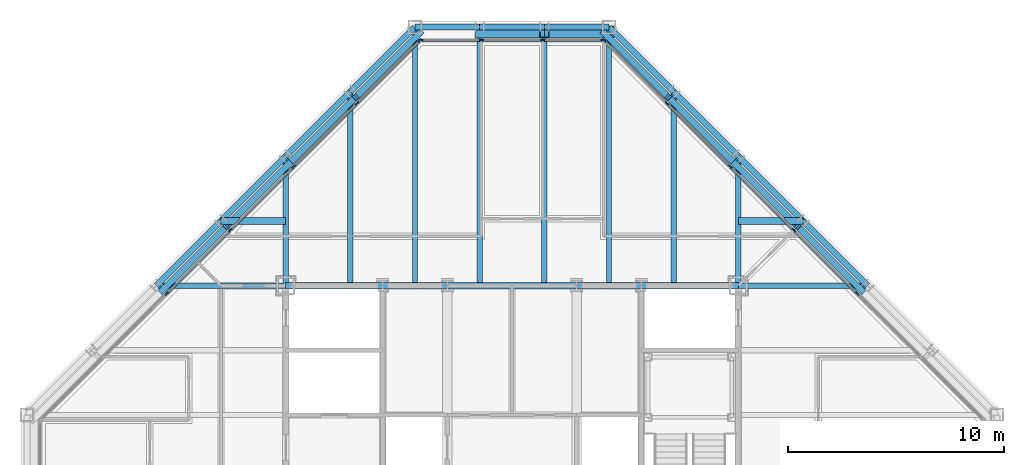
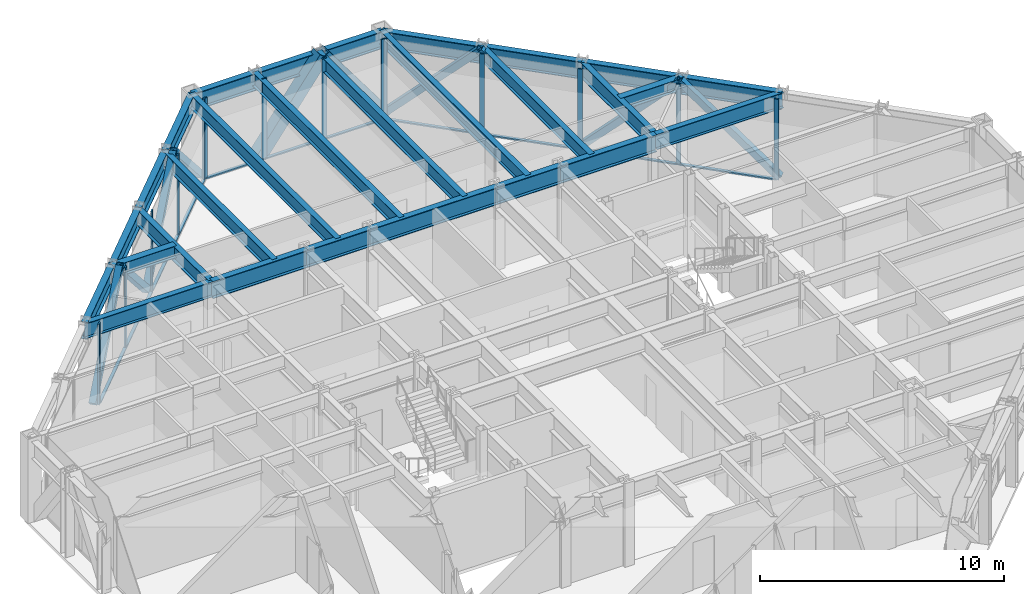
# One storey, part 8 of 15: 35 members, 28 beams, 3 elements without a shape of their own.
"""IFC4 building model written with IfcOpenShell, lengths in metres."""

from ifc_helpers import new_model, si_unit, direction, frame, origin, origin_2d, place, context, subcontext, project, spatial, rectangle, hollow_rectangle, i_section, extrude, material, layer, layer_set, material_profile, profile_set, type_object, element, aggregate, save


model = new_model("IFC4")

# Units and contexts
model_context = context("Model", 3, precision=1e-05, world=origin(), true_north=direction((0.0, 1.0)))
body_context = subcontext(model_context, "Body", "Model", "MODEL_VIEW")
ifc_project = project(units=[si_unit("LENGTHUNIT", "METRE"), si_unit("AREAUNIT", "SQUARE_METRE"), si_unit("VOLUMEUNIT", "CUBIC_METRE"), si_unit("PLANEANGLEUNIT", "RADIAN"), si_unit("MASSUNIT", "GRAM", prefix="KILO")], contexts=[model_context])

# Site, building, storey
site_placement = place(None, origin())
site = spatial("IfcSite", under=ifc_project, at=site_placement, CompositionType="ELEMENT")
building_placement = place(site_placement, origin())
building = spatial("IfcBuilding", under=site, at=building_placement, Name="Chuquiago Exchange Tower", CompositionType="ELEMENT")
storey_placement = place(building_placement, frame((0.0, 0.0, 274.800048828125)))
storey = spatial("IfcBuildingStorey", under=building, at=storey_placement, Name="L61", CompositionType="ELEMENT", Elevation=274.800048828125)

# Beams
ifc_material_1 = material(Name="Steel ASTM A992", Category="steel")
ifc_material_profile_1 = material_profile(ifc_material_1, i_section(OverallWidth=0.25390625, OverallDepth=0.683349609375, WebThickness=0.012451171875, FlangeThickness=0.018798828125, at=origin_2d()), Name="W27X94")
ifc_profile_set_1 = profile_set([ifc_material_profile_1], Name="Steel ASTM A992")
beam_type_1 = type_object("IfcBeamType", Name="B1 W27X94", PredefinedType="BEAM", material=ifc_profile_set_1)
beam_1_placement = place(storey_placement, frame((15.0, 33.0, 3.6982421875), z_axis=(0.0, 1.0, 0.0), x_axis=(-1.0, 0.0, 0.0)))
element("IfcBeam", 1, at=beam_1_placement, inside=storey, type_object=beam_type_1, Name="FB-L62-infill-15_33-15_42-0", PredefinedType="BEAM", context=body_context, shape_type="SweptSolid", body=[
    extrude(i_section(OverallWidth=0.25390625, OverallDepth=0.683349609375, WebThickness=0.012451171875, FlangeThickness=0.018798828125, at=origin_2d()), origin(), (0.0, 0.0, 1.0), 9.0),
])
for number, where, z_axis, x_axis, name in (
    (2, (18.0, 33.0, 3.6982421875), (0.0, 1.0, 0.0), (-1.0, 0.0, 0.0), "FB-L62-infill-18_33-18_45-0"),
    (3, (21.0, 33.0, 3.6982421875), (0.0, 1.0, 0.0), (-1.0, 0.0, 0.0), "FB-L62-infill-21_33-21_45-0"),
    (4, (24.0, 33.0, 3.6982421875), (0.0, 1.0, 0.0), (-1.0, 0.0, 0.0), "FB-L62-infill-24_33-24_45-0"),
    (5, (27.0, 33.0, 3.6982421875), (0.0, 1.0, 0.0), (-1.0, 0.0, 0.0), "FB-L62-infill-27_33-27_45-0"),
):
    element("IfcBeam", number, at=place(storey_placement, frame(where, z_axis=z_axis, x_axis=x_axis)), inside=storey, type_object=beam_type_1, Name=name, PredefinedType="BEAM", context=body_context, shape_type="SweptSolid", body=[
        extrude(i_section(OverallWidth=0.25390625, OverallDepth=0.683349609375, WebThickness=0.012451171875, FlangeThickness=0.018798828125, at=origin_2d()), origin(), (0.0, 0.0, 1.0), 12.0),
    ])
beam_2_placement = place(storey_placement, frame((30.0, 33.0, 3.6982421875), z_axis=(0.0, 1.0, 0.0), x_axis=(-1.0, 0.0, 0.0)))
element("IfcBeam", 6, at=beam_2_placement, inside=storey, type_object=beam_type_1, Name="FB-L62-infill-30_33-30_42-0", PredefinedType="BEAM", context=body_context, shape_type="SweptSolid", body=[
    extrude(i_section(OverallWidth=0.25390625, OverallDepth=0.683349609375, WebThickness=0.012451171875, FlangeThickness=0.018798828125, at=origin_2d()), origin(), (0.0, 0.0, 1.0), 9.0),
])
ifc_material_2 = material(Name="Steel ASTM A992", Category="steel")
ifc_material_profile_2 = material_profile(ifc_material_2, i_section(OverallWidth=0.3251953125, OverallDepth=0.612060546875, WebThickness=0.0126953125, FlangeThickness=0.01904296875, at=origin_2d()), Name="W24X104")
ifc_profile_set_2 = profile_set([ifc_material_profile_2], Name="Steel ASTM A992")
beam_type_2 = type_object("IfcBeamType", Name="B2 W24X104", PredefinedType="BEAM", material=ifc_profile_set_2)
for number, where, z_axis, x_axis, name in (
    (7, (12.0, 36.0, 3.73388671875), (-1.0, 0.0, 0.0), (0.0, -1.0, 0.0), "FB-L62-corner-12_36-9_36-0"),
    (8, (33.0, 36.0, 3.73388671875), (1.0, 0.0, 0.0), (0.0, 1.0, 0.0), "FB-L62-corner-33_36-36_36-0"),
):
    element("IfcBeam", number, at=place(storey_placement, frame(where, z_axis=z_axis, x_axis=x_axis)), inside=storey, type_object=beam_type_2, Name=name, PredefinedType="BEAM", context=body_context, shape_type="SweptSolid", body=[
        extrude(i_section(OverallWidth=0.3251953125, OverallDepth=0.612060546875, WebThickness=0.0126953125, FlangeThickness=0.01904296875, at=origin_2d()), origin(), (0.0, 0.0, 1.0), 3.0),
    ])
ifc_material_3 = material(Name="Steel ASTM A992", Category="steel")
ifc_material_profile_3 = material_profile(ifc_material_3, i_section(OverallWidth=0.2919921875, OverallDepth=0.8583984375, WebThickness=0.01708984375, FlangeThickness=0.031005859375, at=origin_2d()), Name="W33X169")
ifc_profile_set_3 = profile_set([ifc_material_profile_3], Name="Steel ASTM A992")
beam_type_3 = type_object("IfcBeamType", Name="B3 W33X169", PredefinedType="BEAM", material=ifc_profile_set_3)
beam_3_placement = place(storey_placement, frame((12.0, 33.0, 3.610595703125), z_axis=(1.0, 0.0, 0.0), x_axis=(0.0, 1.0, 0.0)))
element("IfcBeam", 9, at=beam_3_placement, inside=storey, type_object=beam_type_3, Name="CB-L62-12_33-16.5_33", PredefinedType="BEAM", context=body_context, shape_type="SweptSolid", body=[
    extrude(i_section(OverallWidth=0.2919921875, OverallDepth=0.8583984375, WebThickness=0.01708984375, FlangeThickness=0.031005859375, at=origin_2d()), origin(), (0.0, 0.0, 1.0), 4.5),
])
beam_4_placement = place(storey_placement, frame((16.5, 33.0, 3.610595703125), z_axis=(1.0, 0.0, 0.0), x_axis=(0.0, 1.0, 0.0)))
element("IfcBeam", 10, at=beam_4_placement, inside=storey, type_object=beam_type_3, Name="CB-L62-16.5_33-19.5_33", PredefinedType="BEAM", context=body_context, shape_type="SweptSolid", body=[
    extrude(i_section(OverallWidth=0.2919921875, OverallDepth=0.8583984375, WebThickness=0.01708984375, FlangeThickness=0.031005859375, at=origin_2d()), origin(), (0.0, 0.0, 1.0), 3.0),
])
beam_5_placement = place(storey_placement, frame((19.5, 33.0, 3.610595703125), z_axis=(1.0, 0.0, 0.0), x_axis=(0.0, 1.0, 0.0)))
element("IfcBeam", 11, at=beam_5_placement, inside=storey, type_object=beam_type_3, Name="CB-L62-19.5_33-25.5_33", PredefinedType="BEAM", context=body_context, shape_type="SweptSolid", body=[
    extrude(i_section(OverallWidth=0.2919921875, OverallDepth=0.8583984375, WebThickness=0.01708984375, FlangeThickness=0.031005859375, at=origin_2d()), origin(), (0.0, 0.0, 1.0), 6.0),
])
beam_6_placement = place(storey_placement, frame((25.5, 33.0, 3.610595703125), z_axis=(1.0, 0.0, 0.0), x_axis=(0.0, 1.0, 0.0)))
element("IfcBeam", 12, at=beam_6_placement, inside=storey, type_object=beam_type_3, Name="CB-L62-25.5_33-28.5_33", PredefinedType="BEAM", context=body_context, shape_type="SweptSolid", body=[
    extrude(i_section(OverallWidth=0.2919921875, OverallDepth=0.8583984375, WebThickness=0.01708984375, FlangeThickness=0.031005859375, at=origin_2d()), origin(), (0.0, 0.0, 1.0), 3.0),
])
beam_7_placement = place(storey_placement, frame((28.5, 33.0, 3.610595703125), z_axis=(1.0, 0.0, 0.0), x_axis=(0.0, 1.0, 0.0)))
element("IfcBeam", 13, at=beam_7_placement, inside=storey, type_object=beam_type_3, Name="CB-L62-28.5_33-33_33", PredefinedType="BEAM", context=body_context, shape_type="SweptSolid", body=[
    extrude(i_section(OverallWidth=0.2919921875, OverallDepth=0.8583984375, WebThickness=0.01708984375, FlangeThickness=0.031005859375, at=origin_2d()), origin(), (0.0, 0.0, 1.0), 4.5),
])

# Curtain wall, members
ifc_material_4 = material(Name="Aluminium curtain wall system", Category="aluminium")
ifc_layer_1 = layer(ifc_material_4, 0.22509765625)
ifc_layer_set_1 = layer_set([ifc_layer_1], Name="CW2 office curtain wall")
curtain_wall_type_1 = type_object("IfcCurtainWallType", Name="CW2 office curtain wall", PredefinedType="NOTDEFINED", material=ifc_layer_set_1)
curtain_wall_1_placement = place(storey_placement, origin())
curtain_wall_1 = element("IfcCurtainWall", 14, at=curtain_wall_1_placement, inside=storey, type_object=curtain_wall_type_1, Name="CW2 curtain wall L61", PredefinedType="NOTDEFINED")
ifc_material_5 = material(Name="Aluminium mullion, pale anodised", Category="aluminium")
ifc_material_profile_4 = material_profile(ifc_material_5, rectangle(XDim=0.06494140625, YDim=0.22509765625, at=origin_2d()), Name="AL 65x225")
ifc_profile_set_4 = profile_set([ifc_material_profile_4], Name="Aluminium mullion, pale anodised")
member_type_1 = type_object("IfcMemberType", Name="CW2-M mullion 65x225", PredefinedType="MULLION", material=ifc_profile_set_4)
member_1_placement = place(storey_placement, frame((26.718994140625, 44.39990234375, 0.0), z_axis=(0.0, 0.0, 1.0), x_axis=(0.0, -1.0, 0.0)))
member_1 = element("IfcMember", 15, at=member_1_placement, type_object=member_type_1, Name="CW2 mullion 1", PredefinedType="MULLION", context=body_context, shape_type="SweptSolid", body=[
    extrude(rectangle(XDim=0.06494140625, YDim=0.22509765625, at=origin_2d()), origin(), (0.0, 0.0, 1.0), 4.0400390625),
])
member_2_placement = place(storey_placement, frame((23.917236328125, 44.39990234375, 0.0), z_axis=(0.0, 0.0, 1.0), x_axis=(0.0, -1.0, 0.0)))
member_2 = element("IfcMember", 16, at=member_2_placement, type_object=member_type_1, Name="CW2 mullion 2", PredefinedType="MULLION", context=body_context, shape_type="SweptSolid", body=[
    extrude(rectangle(XDim=0.06494140625, YDim=0.22509765625, at=origin_2d()), origin(), (0.0, 0.0, 1.0), 4.0400390625),
])
member_3_placement = place(storey_placement, frame((21.082763671875, 44.39990234375, 0.0), z_axis=(0.0, 0.0, 1.0), x_axis=(0.0, -1.0, 0.0)))
member_3 = element("IfcMember", 17, at=member_3_placement, type_object=member_type_1, Name="CW2 mullion 3", PredefinedType="MULLION", context=body_context, shape_type="SweptSolid", body=[
    extrude(rectangle(XDim=0.06494140625, YDim=0.22509765625, at=origin_2d()), origin(), (0.0, 0.0, 1.0), 4.0400390625),
])
member_4_placement = place(storey_placement, frame((18.281005859375, 44.39990234375, 0.0), z_axis=(0.0, 0.0, 1.0), x_axis=(0.0, -1.0, 0.0)))
member_4 = element("IfcMember", 18, at=member_4_placement, type_object=member_type_1, Name="CW2 mullion 4", PredefinedType="MULLION", context=body_context, shape_type="SweptSolid", body=[
    extrude(rectangle(XDim=0.06494140625, YDim=0.22509765625, at=origin_2d()), origin(), (0.0, 0.0, 1.0), 4.0400390625),
])
ifc_material_6 = material(Name="Aluminium transom, pale anodised", Category="aluminium")
ifc_material_profile_5 = material_profile(ifc_material_6, rectangle(XDim=0.139892578125, YDim=0.06494140625, at=origin_2d()), Name="AL 140x65")
ifc_profile_set_5 = profile_set([ifc_material_profile_5], Name="Aluminium transom, pale anodised")
member_type_2 = type_object("IfcMemberType", Name="CW2-T transom 65x140", PredefinedType="MULLION", material=ifc_profile_set_5)
member_5_placement = place(storey_placement, frame((26.6865234375, 44.39990234375, 0.032470703125), z_axis=(-1.0, 0.0, 0.0), x_axis=(0.0, -1.0, 0.0)))
member_5 = element("IfcMember", 19, at=member_5_placement, type_object=member_type_2, Name="CW2 transom 1.1", PredefinedType="MULLION", context=body_context, shape_type="SweptSolid", body=[
    extrude(rectangle(XDim=0.139892578125, YDim=0.06494140625, at=origin_2d()), origin(), (0.0, 0.0, 1.0), 2.73681640625),
])
member_6_placement = place(storey_placement, frame((23.884765625, 44.39990234375, 0.032470703125), z_axis=(-1.0, 0.0, 0.0), x_axis=(0.0, -1.0, 0.0)))
member_6 = element("IfcMember", 20, at=member_6_placement, type_object=member_type_2, Name="CW2 transom 2.1", PredefinedType="MULLION", context=body_context, shape_type="SweptSolid", body=[
    extrude(rectangle(XDim=0.139892578125, YDim=0.06494140625, at=origin_2d()), origin(), (0.0, 0.0, 1.0), 2.76953125),
])
member_7_placement = place(storey_placement, frame((21.05029296875, 44.39990234375, 0.032470703125), z_axis=(-1.0, 0.0, 0.0), x_axis=(0.0, -1.0, 0.0)))
member_7 = element("IfcMember", 21, at=member_7_placement, type_object=member_type_2, Name="CW2 transom 3.1", PredefinedType="MULLION", context=body_context, shape_type="SweptSolid", body=[
    extrude(rectangle(XDim=0.139892578125, YDim=0.06494140625, at=origin_2d()), origin(), (0.0, 0.0, 1.0), 2.73681640625),
])
aggregate(curtain_wall_1, [member_1, member_2, member_3, member_4, member_5, member_6, member_7])

ifc_material_7 = material(Name="Aluminium curtain wall system", Category="aluminium")
ifc_layer_2 = layer(ifc_material_7, 0.199951171875)
ifc_layer_set_2 = layer_set([ifc_layer_2], Name="CW3 facet curtain wall")
curtain_wall_type_2 = type_object("IfcCurtainWallType", Name="CW3 facet curtain wall", PredefinedType="NOTDEFINED", material=ifc_layer_set_2)
curtain_wall_2_placement = place(storey_placement, origin())
curtain_wall_2 = element("IfcCurtainWall", 22, at=curtain_wall_2_placement, inside=storey, type_object=curtain_wall_type_2, Name="CW3 curtain wall L61", PredefinedType="NOTDEFINED")
ifc_material_8 = material(Name="Aluminium mullion, pale anodised", Category="aluminium")
ifc_material_profile_6 = material_profile(ifc_material_8, rectangle(XDim=0.06494140625, YDim=0.199951171875, at=origin_2d()), Name="AL 65x200")
ifc_profile_set_6 = profile_set([ifc_material_profile_6], Name="Aluminium mullion, pale anodised")
member_type_3 = type_object("IfcMemberType", Name="CW3-M mullion 65x200", PredefinedType="MULLION", material=ifc_profile_set_6)
member_8_placement = place(storey_placement, frame((38.51708984375, 32.63427734375, 0.0), z_axis=(0.0, 0.0, 1.0), x_axis=(-0.707106781187, -0.707106781187, 0.0)))
member_8 = element("IfcMember", 23, at=member_8_placement, type_object=member_type_3, Name="CW3 mullion 3", PredefinedType="MULLION", context=body_context, shape_type="SweptSolid", body=[
    extrude(rectangle(XDim=0.06494140625, YDim=0.199951171875, at=origin_2d()), origin(), (0.0, 0.0, 1.0), 4.0400390625),
])
member_9_placement = place(storey_placement, frame((35.57568359375, 35.57568359375, 0.0), z_axis=(0.0, 0.0, 1.0), x_axis=(-0.707106781187, -0.707106781187, 0.0)))
member_9 = element("IfcMember", 24, at=member_9_placement, type_object=member_type_3, Name="CW3 mullion 4", PredefinedType="MULLION", context=body_context, shape_type="SweptSolid", body=[
    extrude(rectangle(XDim=0.06494140625, YDim=0.199951171875, at=origin_2d()), origin(), (0.0, 0.0, 1.0), 4.0400390625),
])
member_10_placement = place(storey_placement, frame((32.63427734375, 38.51708984375, 0.0), z_axis=(0.0, 0.0, 1.0), x_axis=(-0.707106781187, -0.707106781187, 0.0)))
member_10 = element("IfcMember", 25, at=member_10_placement, type_object=member_type_3, Name="CW3 mullion 5", PredefinedType="MULLION", context=body_context, shape_type="SweptSolid", body=[
    extrude(rectangle(XDim=0.06494140625, YDim=0.199951171875, at=origin_2d()), origin(), (0.0, 0.0, 1.0), 4.0400390625),
])
member_11_placement = place(storey_placement, frame((29.69287109375, 41.45849609375, 0.0), z_axis=(0.0, 0.0, 1.0), x_axis=(-0.707106781187, -0.707106781187, 0.0)))
member_11 = element("IfcMember", 26, at=member_11_placement, type_object=member_type_3, Name="CW3 mullion 6", PredefinedType="MULLION", context=body_context, shape_type="SweptSolid", body=[
    extrude(rectangle(XDim=0.06494140625, YDim=0.199951171875, at=origin_2d()), origin(), (0.0, 0.0, 1.0), 4.0400390625),
])
member_12_placement = place(storey_placement, frame((26.7744140625, 44.376953125, 0.0), z_axis=(0.0, 0.0, 1.0), x_axis=(-0.707106781187, -0.707106781187, 0.0)))
member_12 = element("IfcMember", 27, at=member_12_placement, type_object=member_type_3, Name="CW3 mullion 7", PredefinedType="MULLION", context=body_context, shape_type="SweptSolid", body=[
    extrude(rectangle(XDim=0.06494140625, YDim=0.199951171875, at=origin_2d()), origin(), (0.0, 0.0, 1.0), 4.0400390625),
])

curtain_wall_3_placement = place(storey_placement, origin())
curtain_wall_3 = element("IfcCurtainWall", 28, at=curtain_wall_3_placement, inside=storey, type_object=curtain_wall_type_2, Name="CW3 curtain wall L61", PredefinedType="NOTDEFINED")
member_13_placement = place(storey_placement, frame((18.2255859375, 44.376953125, 0.0), z_axis=(0.0, 0.0, 1.0), x_axis=(0.707106781187, -0.707106781187, 0.0)))
member_13 = element("IfcMember", 29, at=member_13_placement, type_object=member_type_3, Name="CW3 mullion 1", PredefinedType="MULLION", context=body_context, shape_type="SweptSolid", body=[
    extrude(rectangle(XDim=0.06494140625, YDim=0.199951171875, at=origin_2d()), origin(), (0.0, 0.0, 1.0), 4.0400390625),
])
member_14_placement = place(storey_placement, frame((15.30712890625, 41.45849609375, 0.0), z_axis=(0.0, 0.0, 1.0), x_axis=(0.707106781187, -0.707106781187, 0.0)))
member_14 = element("IfcMember", 30, at=member_14_placement, type_object=member_type_3, Name="CW3 mullion 2", PredefinedType="MULLION", context=body_context, shape_type="SweptSolid", body=[
    extrude(rectangle(XDim=0.06494140625, YDim=0.199951171875, at=origin_2d()), origin(), (0.0, 0.0, 1.0), 4.0400390625),
])
member_15_placement = place(storey_placement, frame((12.36572265625, 38.51708984375, 0.0), z_axis=(0.0, 0.0, 1.0), x_axis=(0.707106781187, -0.707106781187, 0.0)))
member_15 = element("IfcMember", 31, at=member_15_placement, type_object=member_type_3, Name="CW3 mullion 3", PredefinedType="MULLION", context=body_context, shape_type="SweptSolid", body=[
    extrude(rectangle(XDim=0.06494140625, YDim=0.199951171875, at=origin_2d()), origin(), (0.0, 0.0, 1.0), 4.0400390625),
])
member_16_placement = place(storey_placement, frame((9.42431640625, 35.57568359375, 0.0), z_axis=(0.0, 0.0, 1.0), x_axis=(0.707106781187, -0.707106781187, 0.0)))
member_16 = element("IfcMember", 32, at=member_16_placement, type_object=member_type_3, Name="CW3 mullion 4", PredefinedType="MULLION", context=body_context, shape_type="SweptSolid", body=[
    extrude(rectangle(XDim=0.06494140625, YDim=0.199951171875, at=origin_2d()), origin(), (0.0, 0.0, 1.0), 4.0400390625),
])
member_17_placement = place(storey_placement, frame((6.48291015625, 32.63427734375, 0.0), z_axis=(0.0, 0.0, 1.0), x_axis=(0.707106781187, -0.707106781187, 0.0)))
member_17 = element("IfcMember", 33, at=member_17_placement, type_object=member_type_3, Name="CW3 mullion 5", PredefinedType="MULLION", context=body_context, shape_type="SweptSolid", body=[
    extrude(rectangle(XDim=0.06494140625, YDim=0.199951171875, at=origin_2d()), origin(), (0.0, 0.0, 1.0), 4.0400390625),
])

# Member
ifc_material_9 = material(Name="Aluminium transom, pale anodised", Category="aluminium")
ifc_material_profile_7 = material_profile(ifc_material_9, rectangle(XDim=0.139892578125, YDim=0.06494140625, at=origin_2d()), Name="AL 140x65")
ifc_profile_set_7 = profile_set([ifc_material_profile_7], Name="Aluminium transom, pale anodised")
member_type_4 = type_object("IfcMemberType", Name="CW3-T transom 65x140", PredefinedType="MULLION", material=ifc_profile_set_7)
member_18_placement = place(storey_placement, frame((38.494140625, 32.6572265625, 0.032470703125), z_axis=(-0.707106781187, 0.707106781187, 0.0), x_axis=(-0.707106781187, -0.707106781187, 0.0)))
member_18 = element("IfcMember", 34, at=member_18_placement, type_object=member_type_4, Name="CW3 transom 3.1", PredefinedType="MULLION", context=body_context, shape_type="SweptSolid", body=[
    extrude(rectangle(XDim=0.139892578125, YDim=0.06494140625, at=origin_2d()), origin(), (0.0, 0.0, 1.0), 4.094970703125),
])

member_19_placement = place(storey_placement, frame((35.552734375, 35.5986328125, 0.032470703125), z_axis=(-0.707106781187, 0.707106781187, 0.0), x_axis=(-0.707106781187, -0.707106781187, 0.0)))
member_19 = element("IfcMember", 35, at=member_19_placement, type_object=member_type_4, Name="CW3 transom 4.1", PredefinedType="MULLION", context=body_context, shape_type="SweptSolid", body=[
    extrude(rectangle(XDim=0.139892578125, YDim=0.06494140625, at=origin_2d()), origin(), (0.0, 0.0, 1.0), 4.094970703125),
])

member_20_placement = place(storey_placement, frame((32.611328125, 38.5400390625, 0.032470703125), z_axis=(-0.707106781187, 0.707106781187, 0.0), x_axis=(-0.707106781187, -0.707106781187, 0.0)))
member_20 = element("IfcMember", 36, at=member_20_placement, type_object=member_type_4, Name="CW3 transom 5.1", PredefinedType="MULLION", context=body_context, shape_type="SweptSolid", body=[
    extrude(rectangle(XDim=0.139892578125, YDim=0.06494140625, at=origin_2d()), origin(), (0.0, 0.0, 1.0), 4.094970703125),
])

member_21_placement = place(storey_placement, frame((29.669921875, 41.4814453125, 0.032470703125), z_axis=(-0.707106781187, 0.707106781187, 0.0), x_axis=(-0.707106781187, -0.707106781187, 0.0)))
member_21 = element("IfcMember", 37, at=member_21_placement, type_object=member_type_4, Name="CW3 transom 6.1", PredefinedType="MULLION", context=body_context, shape_type="SweptSolid", body=[
    extrude(rectangle(XDim=0.139892578125, YDim=0.06494140625, at=origin_2d()), origin(), (0.0, 0.0, 1.0), 4.0625),
])

aggregate(curtain_wall_2, [member_8, member_9, member_10, member_11, member_12, member_18, member_19, member_20, member_21])

member_22_placement = place(storey_placement, frame((18.20263671875, 44.35400390625, 0.032470703125), z_axis=(-0.707106781187, -0.707106781187, 0.0), x_axis=(0.707106781187, -0.707106781187, 0.0)))
member_22 = element("IfcMember", 38, at=member_22_placement, type_object=member_type_4, Name="CW3 transom 1.1", PredefinedType="MULLION", context=body_context, shape_type="SweptSolid", body=[
    extrude(rectangle(XDim=0.139892578125, YDim=0.06494140625, at=origin_2d()), origin(), (0.0, 0.0, 1.0), 4.0625),
])

member_23_placement = place(storey_placement, frame((15.2841796875, 41.435546875, 0.032470703125), z_axis=(-0.707106781187, -0.707106781187, 0.0), x_axis=(0.707106781187, -0.707106781187, 0.0)))
member_23 = element("IfcMember", 39, at=member_23_placement, type_object=member_type_4, Name="CW3 transom 2.1", PredefinedType="MULLION", context=body_context, shape_type="SweptSolid", body=[
    extrude(rectangle(XDim=0.139892578125, YDim=0.06494140625, at=origin_2d()), origin(), (0.0, 0.0, 1.0), 4.094970703125),
])

member_24_placement = place(storey_placement, frame((12.3427734375, 38.494140625, 0.032470703125), z_axis=(-0.707106781187, -0.707106781187, 0.0), x_axis=(0.707106781187, -0.707106781187, 0.0)))
member_24 = element("IfcMember", 40, at=member_24_placement, type_object=member_type_4, Name="CW3 transom 3.1", PredefinedType="MULLION", context=body_context, shape_type="SweptSolid", body=[
    extrude(rectangle(XDim=0.139892578125, YDim=0.06494140625, at=origin_2d()), origin(), (0.0, 0.0, 1.0), 4.094970703125),
])

member_25_placement = place(storey_placement, frame((9.4013671875, 35.552734375, 0.032470703125), z_axis=(-0.707106781187, -0.707106781187, 0.0), x_axis=(0.707106781187, -0.707106781187, 0.0)))
member_25 = element("IfcMember", 41, at=member_25_placement, type_object=member_type_4, Name="CW3 transom 4.1", PredefinedType="MULLION", context=body_context, shape_type="SweptSolid", body=[
    extrude(rectangle(XDim=0.139892578125, YDim=0.06494140625, at=origin_2d()), origin(), (0.0, 0.0, 1.0), 4.094970703125),
])

aggregate(curtain_wall_3, [member_13, member_14, member_15, member_16, member_17, member_22, member_23, member_24, member_25])

# Beams
ifc_material_10 = material(Name="Steel ASTM A992", Category="steel")
ifc_material_profile_8 = material_profile(ifc_material_10, i_section(OverallWidth=0.2666015625, OverallDepth=0.76953125, WebThickness=0.015625, FlangeThickness=0.025390625, at=origin_2d()), Name="W30X132")
ifc_profile_set_8 = profile_set([ifc_material_profile_8], Name="Steel ASTM A992")
beam_type_4 = type_object("IfcBeamType", Name="G1 W30X132", PredefinedType="BEAM", material=ifc_profile_set_8)
for number, where, z_axis, x_axis, name in (
    (42, (12.0, 33.0, 3.655029296875), (0.0, 1.0, 0.0), (-1.0, 0.0, 0.0), "FB-L62-girder-12_33-12_39-0"),
    (43, (33.0, 33.0, 3.655029296875), (0.0, 1.0, 0.0), (-1.0, 0.0, 0.0), "FB-L62-girder-33_33-33_39-0"),
    (44, (33.0, 33.0, 3.655029296875), (1.0, 0.0, 0.0), (0.0, 1.0, 0.0), "FB-L62-girder-33_33-39_33-0"),
    (45, (12.0, 33.0, 3.655029296875), (-1.0, 0.0, 0.0), (0.0, -1.0, 0.0), "FB-L62-girder-12_33-6_33-0"),
):
    element("IfcBeam", number, at=place(storey_placement, frame(where, z_axis=z_axis, x_axis=x_axis)), inside=storey, type_object=beam_type_4, Name=name, PredefinedType="BEAM", context=body_context, shape_type="SweptSolid", body=[
        extrude(i_section(OverallWidth=0.2666015625, OverallDepth=0.76953125, WebThickness=0.015625, FlangeThickness=0.025390625, at=origin_2d()), origin(), (0.0, 0.0, 1.0), 6.0),
    ])

# Members
ifc_material_11 = material(Name="Steel ASTM A500 Grade C", Category="steel")
ifc_material_profile_9 = material_profile(ifc_material_11, hollow_rectangle(XDim=0.3046875, YDim=0.3046875, WallThickness=0.0146484375, at=origin_2d()), Name="HSS12X12X5/8")
ifc_profile_set_9 = profile_set([ifc_material_profile_9], Name="Steel ASTM A500 Grade C")
member_type_5 = type_object("IfcMemberType", Name="LB3 HSS12X12X5/8", PredefinedType="BRACE", material=ifc_profile_set_9)
for number, where, z_axis, x_axis, name in (
    (46, (38.750732421875, 32.750732421875, 0.0), (-0.512077265487, 0.512077265487, 0.689604051861), (-0.707106781187, -0.707106781187, 0.0), "LB-L61-39_33-36_36"),
    (47, (32.750732421875, 38.750732421875, 0.0), (0.512077265487, -0.512077265487, 0.689604051861), (0.707106781187, 0.707106781187, 0.0), "LB-L61-36_36-33_39"),
    (48, (32.750732421875, 38.750732421875, 0.0), (-0.512077265487, 0.512077265487, 0.689604051861), (-0.707106781187, -0.707106781187, 0.0), "LB-L61-33_39-30_42"),
    (49, (26.750732421875, 44.750732421875, 0.0), (0.512077265487, -0.512077265487, 0.689604051861), (0.707106781187, 0.707106781187, 0.0), "LB-L61-30_42-27_45"),
    (50, (18.249267578125, 44.750732421875, 0.0), (-0.512077265487, -0.512077265487, 0.689604051861), (0.707106781187, -0.707106781187, 0.0), "LB-L61-18_45-15_42"),
    (51, (12.249267578125, 38.750732421875, 0.0), (0.512077265487, 0.512077265487, 0.689604051861), (-0.707106781187, 0.707106781187, 0.0), "LB-L61-15_42-12_39"),
    (52, (12.249267578125, 38.750732421875, 0.0), (-0.512077265487, -0.512077265487, 0.689604051861), (0.707106781187, -0.707106781187, 0.0), "LB-L61-12_39-9_36"),
    (53, (6.249267578125, 32.750732421875, 0.0), (0.512077265487, 0.512077265487, 0.689604051861), (-0.707106781187, 0.707106781187, 0.0), "LB-L61-9_36-6_33"),
):
    element("IfcMember", number, at=place(storey_placement, frame(where, z_axis=z_axis, x_axis=x_axis)), inside=storey, type_object=member_type_5, Name=name, PredefinedType="BRACE", context=body_context, shape_type="SweptSolid", body=[
        extrude(hollow_rectangle(XDim=0.3046875, YDim=0.3046875, WallThickness=0.0146484375, at=origin_2d()), origin(), (0.0, 0.0, 1.0), 5.8583984375),
    ])
ifc_material_12 = material(Name="Steel ASTM A572 Grade 50", Category="steel")
ifc_material_profile_10 = material_profile(ifc_material_12, hollow_rectangle(XDim=0.550048828125, YDim=0.550048828125, WallThickness=0.044921875, at=origin_2d()), Name="BOX550X550X45")
ifc_profile_set_10 = profile_set([ifc_material_profile_10], Name="Steel ASTM A572 Grade 50")
member_type_6 = type_object("IfcMemberType", Name="MB4 BOX550X550X45", PredefinedType="BRACE", material=ifc_profile_set_10)
for number, where, z_axis, x_axis, name in (
    (54, (27.0, 44.77001953125, 0.0), (-0.596173923302, 0.0, 0.802855312728), (0.0, -1.0, 0.0), "Mega diagonal L61 N face"),
    (55, (21.0, 44.77001953125, 0.0), (0.596173923302, 0.0, 0.802855312728), (0.0, 1.0, 0.0), "Mega diagonal L61 N face"),
):
    element("IfcMember", number, at=place(storey_placement, frame(where, z_axis=z_axis, x_axis=x_axis)), inside=storey, type_object=member_type_6, Name=name, PredefinedType="BRACE", context=body_context, shape_type="SweptSolid", body=[
        extrude(hollow_rectangle(XDim=0.550048828125, YDim=0.550048828125, WallThickness=0.044921875, at=origin_2d()), origin(), (0.0, 0.0, 1.0), 5.031982421875),
    ])

# Beams
ifc_material_13 = material(Name="Steel ASTM A992", Category="steel")
ifc_material_profile_11 = material_profile(ifc_material_13, i_section(OverallWidth=0.2919921875, OverallDepth=0.8583984375, WebThickness=0.01708984375, FlangeThickness=0.031005859375, at=origin_2d()), Name="W33X169")
ifc_profile_set_11 = profile_set([ifc_material_profile_11], Name="Steel ASTM A992")
beam_type_5 = type_object("IfcBeamType", Name="SP4 W33X169", PredefinedType="SPANDREL", material=ifc_profile_set_11)
for number, where, z_axis, x_axis, name in (
    (56, (39.0, 33.0, 3.610595703125), (-0.707106781187, 0.707106781187, 0.0), (-0.707106781187, -0.707106781187, 0.0), "SPB-L62-39_33-36_36"),
    (57, (36.0, 36.0, 3.610595703125), (-0.707106781187, 0.707106781187, 0.0), (-0.707106781187, -0.707106781187, 0.0), "SPB-L62-36_36-33_39"),
    (58, (33.0, 39.0, 3.610595703125), (-0.707106781187, 0.707106781187, 0.0), (-0.707106781187, -0.707106781187, 0.0), "SPB-L62-33_39-30_42"),
    (59, (30.0, 42.0, 3.610595703125), (-0.707106781187, 0.707106781187, 0.0), (-0.707106781187, -0.707106781187, 0.0), "SPB-L62-30_42-27_45"),
):
    element("IfcBeam", number, at=place(storey_placement, frame(where, z_axis=z_axis, x_axis=x_axis)), inside=storey, type_object=beam_type_5, Name=name, PredefinedType="SPANDREL", context=body_context, shape_type="SweptSolid", body=[
        extrude(i_section(OverallWidth=0.2919921875, OverallDepth=0.8583984375, WebThickness=0.01708984375, FlangeThickness=0.031005859375, at=origin_2d()), origin(), (0.0, 0.0, 1.0), 4.24267578125),
    ])
for number, where, z_axis, x_axis, name in (
    (60, (27.0, 45.0, 3.610595703125), (-1.0, 0.0, 0.0), (0.0, -1.0, 0.0), "SPB-L62-27_45-24_45"),
    (61, (24.0, 45.0, 3.610595703125), (-1.0, 0.0, 0.0), (0.0, -1.0, 0.0), "SPB-L62-24_45-21_45"),
    (62, (21.0, 45.0, 3.610595703125), (-1.0, 0.0, 0.0), (0.0, -1.0, 0.0), "SPB-L62-21_45-18_45"),
):
    element("IfcBeam", number, at=place(storey_placement, frame(where, z_axis=z_axis, x_axis=x_axis)), inside=storey, type_object=beam_type_5, Name=name, PredefinedType="SPANDREL", context=body_context, shape_type="SweptSolid", body=[
        extrude(i_section(OverallWidth=0.2919921875, OverallDepth=0.8583984375, WebThickness=0.01708984375, FlangeThickness=0.031005859375, at=origin_2d()), origin(), (0.0, 0.0, 1.0), 3.0),
    ])
for number, where, z_axis, x_axis, name in (
    (63, (18.0, 45.0, 3.610595703125), (-0.707106781187, -0.707106781187, 0.0), (0.707106781187, -0.707106781187, 0.0), "SPB-L62-18_45-15_42"),
    (64, (15.0, 42.0, 3.610595703125), (-0.707106781187, -0.707106781187, 0.0), (0.707106781187, -0.707106781187, 0.0), "SPB-L62-15_42-12_39"),
    (65, (12.0, 39.0, 3.610595703125), (-0.707106781187, -0.707106781187, 0.0), (0.707106781187, -0.707106781187, 0.0), "SPB-L62-12_39-9_36"),
    (66, (9.0, 36.0, 3.610595703125), (-0.707106781187, -0.707106781187, 0.0), (0.707106781187, -0.707106781187, 0.0), "SPB-L62-9_36-6_33"),
):
    element("IfcBeam", number, at=place(storey_placement, frame(where, z_axis=z_axis, x_axis=x_axis)), inside=storey, type_object=beam_type_5, Name=name, PredefinedType="SPANDREL", context=body_context, shape_type="SweptSolid", body=[
        extrude(i_section(OverallWidth=0.2919921875, OverallDepth=0.8583984375, WebThickness=0.01708984375, FlangeThickness=0.031005859375, at=origin_2d()), origin(), (0.0, 0.0, 1.0), 4.24267578125),
    ])

save(model, "model.ifc")
